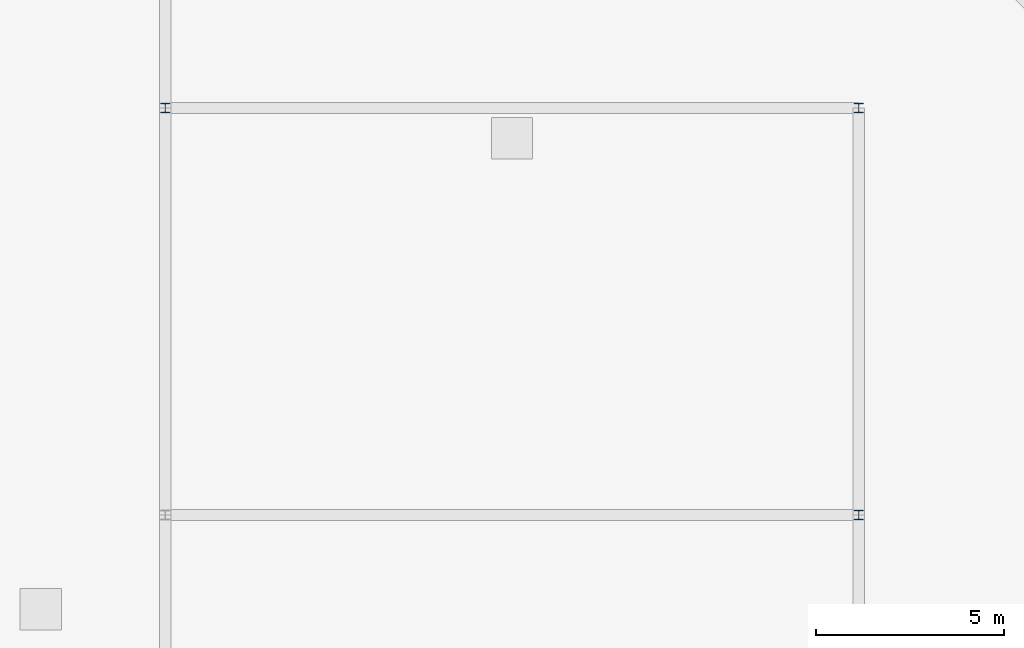
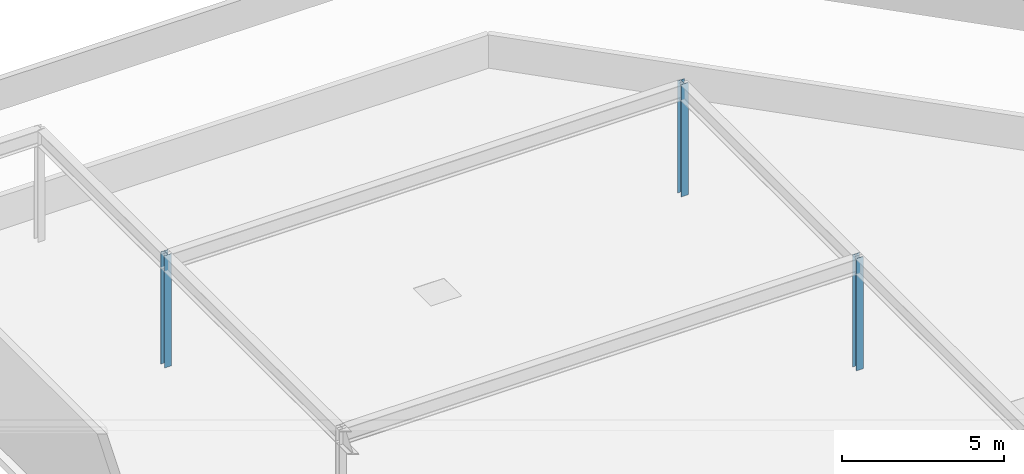
# One storey, part 2 of 6: 3 columns.
"""IFC4 building model written with IfcOpenShell, lengths in metres."""

from ifc_helpers import new_model, si_unit, direction, frame, origin, origin_2d, place, context, subcontext, project, spatial, i_section, extrude, material, material_profile, profile_set, type_object, element, save


model = new_model("IFC4")

# Units and contexts
model_context = context("Model", 3, precision=1e-05, world=origin(), true_north=direction((0.0, 1.0)))
body_context = subcontext(model_context, "Body", "Model", "MODEL_VIEW")
ifc_project = project(units=[si_unit("LENGTHUNIT", "METRE"), si_unit("AREAUNIT", "SQUARE_METRE"), si_unit("VOLUMEUNIT", "CUBIC_METRE"), si_unit("PLANEANGLEUNIT", "RADIAN"), si_unit("MASSUNIT", "GRAM", prefix="KILO")], contexts=[model_context])

# Site, building, storey
site_placement = place(None, origin())
site = spatial("IfcSite", under=ifc_project, at=site_placement, CompositionType="ELEMENT")
building_placement = place(site_placement, origin())
building = spatial("IfcBuilding", under=site, at=building_placement, Name="Khairoan Windgate Tower", CompositionType="ELEMENT")
storey_placement = place(building_placement, frame((0.0, 0.0, 339.5)))
storey = spatial("IfcBuildingStorey", under=building, at=storey_placement, Name="L81", CompositionType="ELEMENT", Elevation=339.5)

# Columns
ifc_material = material(Name="Steel S355", Category="steel")
ifc_material_profile = material_profile(ifc_material, i_section(OverallWidth=0.25, OverallDepth=0.25, WebThickness=0.009033203125, FlangeThickness=0.013916015625, FilletRadius=0.01611328125, at=origin_2d()))
ifc_profile_set = profile_set([ifc_material_profile], Name="Steel S355")
column_type = type_object("IfcColumnType", Name="Steel Column SC7 H250x250x9x14", PredefinedType="COLUMN", material=ifc_profile_set)
for number, where, z_axis, x_axis, name in (
    (1, (9.199951171875, 10.800048828125, 0.0), (0.0, 0.0, 1.0), (1.0, 0.0, 0.0), "Column L81-06"),
    (2, (9.199951171875, 0.0, 0.0), (0.0, 0.0, 1.0), (1.0, 0.0, 0.0), "Column L81-07"),
    (3, (-9.199951171875, 10.800048828125, 0.0), (0.0, 0.0, 1.0), (1.0, 0.0, 0.0), "Column L81-11"),
):
    element("IfcColumn", number, at=place(storey_placement, frame(where, z_axis=z_axis, x_axis=x_axis)), inside=storey, type_object=column_type, Name=name, PredefinedType="COLUMN", context=body_context, shape_type="SweptSolid", body=[
        extrude(i_section(OverallWidth=0.25, OverallDepth=0.25, WebThickness=0.009033203125, FlangeThickness=0.013916015625, FilletRadius=0.01611328125, at=origin_2d()), origin(), (0.0, 0.0, 1.0), 4.219970703125),
    ])

save(model, "model.ifc")
